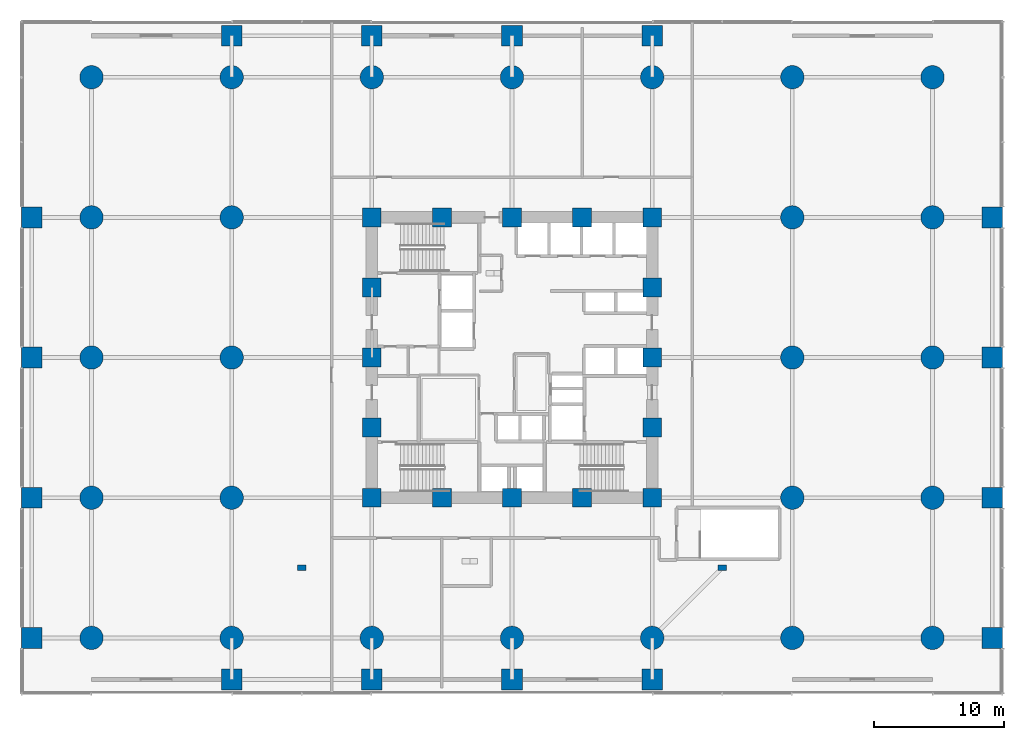
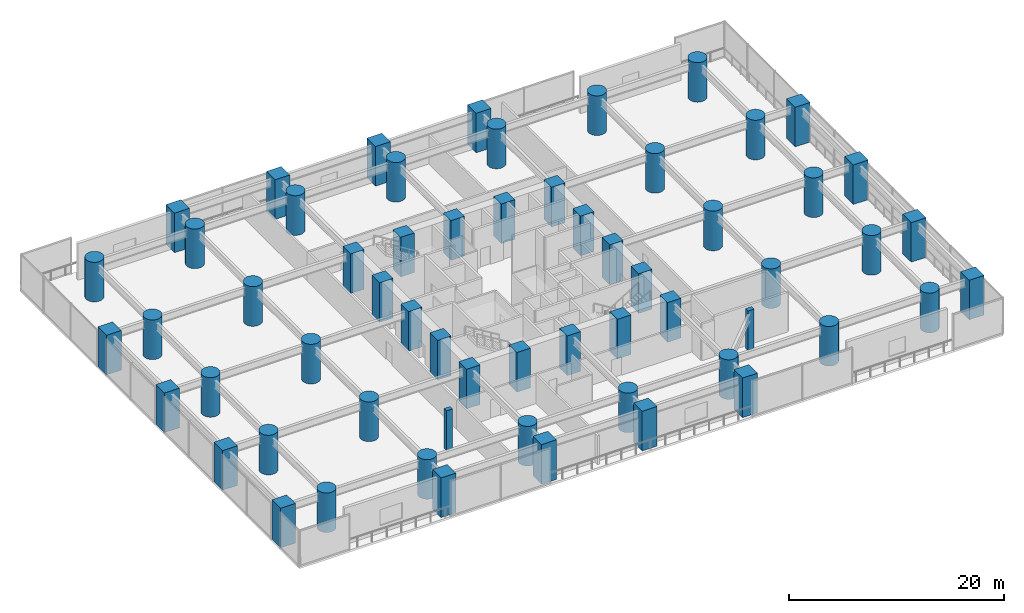
# One storey, part 1 of 35: 60 columns.
"""IFC4 building model written with IfcOpenShell, lengths in metres."""

from ifc_helpers import new_model, si_unit, direction, frame, origin, origin_2d, place, context, subcontext, project, spatial, rectangle, circle, extrude, material, material_profile, profile_set, type_object, element, save


model = new_model("IFC4")

# Units and contexts
model_context = context("Model", 3, precision=1e-05, world=origin(), true_north=direction((0.0, 1.0)))
body_context = subcontext(model_context, "Body", "Model", "MODEL_VIEW")
ifc_project = project(units=[si_unit("LENGTHUNIT", "METRE"), si_unit("AREAUNIT", "SQUARE_METRE"), si_unit("VOLUMEUNIT", "CUBIC_METRE"), si_unit("PLANEANGLEUNIT", "RADIAN"), si_unit("MASSUNIT", "GRAM", prefix="KILO")], contexts=[model_context])

# Site, building, storey
site_placement = place(None, origin())
site = spatial("IfcSite", under=ifc_project, at=site_placement, CompositionType="ELEMENT")
building_placement = place(site_placement, origin())
building = spatial("IfcBuilding", under=site, at=building_placement, Name="Surkhivell Harbour Commons", CompositionType="ELEMENT")
storey_placement = place(building_placement, frame((0.0, 0.0, 13.5)))
storey = spatial("IfcBuildingStorey", under=building, at=storey_placement, Name="L03", CompositionType="ELEMENT", Elevation=13.5)

# Columns
ifc_material_1 = material(Name="Concrete C80/95", Category="concrete")
ifc_material_profile_1 = material_profile(ifc_material_1, rectangle(XDim=1.449951171875, YDim=1.449951171875, at=origin_2d()), Name="RC-COL-1450x1450")
ifc_profile_set_1 = profile_set([ifc_material_profile_1], Name="Concrete C80/95")
column_type_1 = type_object("IfcColumnType", Name="COL-CORE-1450", PredefinedType="COLUMN", material=ifc_profile_set_1)
for number, where, z_axis, x_axis, name in (
    (1, (-10.800048828125, -10.800048828125, 0.0), (0.0, 0.0, 1.0), (1.0, 0.0, 0.0), "L03 Column CC-1 (-10.8,-10.8)"),
    (2, (-10.800048828125, -5.39990234375, 0.0), (0.0, 0.0, 1.0), (1.0, 0.0, 0.0), "L03 Column CC-1 (-10.8,-5.4)"),
    (3, (-10.800048828125, 0.0, 0.0), (0.0, 0.0, 1.0), (1.0, 0.0, 0.0), "L03 Column CC-1 (-10.8,0.0)"),
    (4, (-10.800048828125, 5.39990234375, 0.0), (0.0, 0.0, 1.0), (1.0, 0.0, 0.0), "L03 Column CC-1 (-10.8,5.4)"),
    (5, (-10.800048828125, 10.800048828125, 0.0), (0.0, 0.0, 1.0), (1.0, 0.0, 0.0), "L03 Column CC-1 (-10.8,10.8)"),
    (6, (-5.39990234375, -10.800048828125, 0.0), (0.0, 0.0, 1.0), (1.0, 0.0, 0.0), "L03 Column CC-1 (-5.4,-10.8)"),
    (7, (-5.39990234375, 10.800048828125, 0.0), (0.0, 0.0, 1.0), (1.0, 0.0, 0.0), "L03 Column CC-1 (-5.4,10.8)"),
    (8, (0.0, -10.800048828125, 0.0), (0.0, 0.0, 1.0), (1.0, 0.0, 0.0), "L03 Column CC-1 (0.0,-10.8)"),
    (9, (0.0, 10.800048828125, 0.0), (0.0, 0.0, 1.0), (1.0, 0.0, 0.0), "L03 Column CC-1 (0.0,10.8)"),
    (10, (5.39990234375, -10.800048828125, 0.0), (0.0, 0.0, 1.0), (1.0, 0.0, 0.0), "L03 Column CC-1 (5.4,-10.8)"),
    (11, (5.39990234375, 10.800048828125, 0.0), (0.0, 0.0, 1.0), (1.0, 0.0, 0.0), "L03 Column CC-1 (5.4,10.8)"),
    (12, (10.800048828125, -10.800048828125, 0.0), (0.0, 0.0, 1.0), (1.0, 0.0, 0.0), "L03 Column CC-1 (10.8,-10.8)"),
    (13, (10.800048828125, -5.39990234375, 0.0), (0.0, 0.0, 1.0), (1.0, 0.0, 0.0), "L03 Column CC-1 (10.8,-5.4)"),
    (14, (10.800048828125, 0.0, 0.0), (0.0, 0.0, 1.0), (1.0, 0.0, 0.0), "L03 Column CC-1 (10.8,0.0)"),
    (15, (10.800048828125, 5.39990234375, 0.0), (0.0, 0.0, 1.0), (1.0, 0.0, 0.0), "L03 Column CC-1 (10.8,5.4)"),
    (16, (10.800048828125, 10.800048828125, 0.0), (0.0, 0.0, 1.0), (1.0, 0.0, 0.0), "L03 Column CC-1 (10.8,10.8)"),
):
    element("IfcColumn", number, at=place(storey_placement, frame(where, z_axis=z_axis, x_axis=x_axis)), inside=storey, type_object=column_type_1, Name=name, PredefinedType="COLUMN", context=body_context, shape_type="SweptSolid", body=[
        extrude(rectangle(XDim=1.449951171875, YDim=1.449951171875, at=origin_2d()), origin(), (0.0, 0.0, 1.0), 4.5),
    ])
ifc_material_profile_2 = material_profile(ifc_material_1, rectangle(XDim=1.60009765625, YDim=1.60009765625, at=origin_2d()), Name="RC-COL-1600x1600")
ifc_profile_set_2 = profile_set([ifc_material_profile_2], Name="Concrete C80/95")
column_type_2 = type_object("IfcColumnType", Name="COL-MEGA-1600", PredefinedType="COLUMN", material=ifc_profile_set_2)
for number, where, z_axis, x_axis, name in (
    (17, (-37.0, -21.60009765625, 0.0), (0.0, 0.0, 1.0), (1.0, 0.0, 0.0), "L03 Column CM-1 (-37.0,-21.6)"),
    (18, (-37.0, -10.800048828125, 0.0), (0.0, 0.0, 1.0), (1.0, 0.0, 0.0), "L03 Column CM-1 (-37.0,-10.8)"),
    (19, (-37.0, 0.0, 0.0), (0.0, 0.0, 1.0), (1.0, 0.0, 0.0), "L03 Column CM-1 (-37.0,0.0)"),
    (20, (-37.0, 10.800048828125, 0.0), (0.0, 0.0, 1.0), (1.0, 0.0, 0.0), "L03 Column CM-1 (-37.0,10.8)"),
    (21, (-21.60009765625, -24.800048828125, 0.0), (0.0, 0.0, 1.0), (1.0, 0.0, 0.0), "L03 Column CM-1 (-21.6,-24.8)"),
    (22, (-21.60009765625, 24.800048828125, 0.0), (0.0, 0.0, 1.0), (1.0, 0.0, 0.0), "L03 Column CM-1 (-21.6,24.8)"),
    (23, (-10.800048828125, -24.800048828125, 0.0), (0.0, 0.0, 1.0), (1.0, 0.0, 0.0), "L03 Column CM-1 (-10.8,-24.8)"),
    (24, (-10.800048828125, 24.800048828125, 0.0), (0.0, 0.0, 1.0), (1.0, 0.0, 0.0), "L03 Column CM-1 (-10.8,24.8)"),
    (25, (0.0, -24.800048828125, 0.0), (0.0, 0.0, 1.0), (1.0, 0.0, 0.0), "L03 Column CM-1 (0.0,-24.8)"),
    (26, (0.0, 24.800048828125, 0.0), (0.0, 0.0, 1.0), (1.0, 0.0, 0.0), "L03 Column CM-1 (0.0,24.8)"),
    (27, (10.800048828125, -24.800048828125, 0.0), (0.0, 0.0, 1.0), (1.0, 0.0, 0.0), "L03 Column CM-1 (10.8,-24.8)"),
    (28, (10.800048828125, 24.800048828125, 0.0), (0.0, 0.0, 1.0), (1.0, 0.0, 0.0), "L03 Column CM-1 (10.8,24.8)"),
    (29, (37.0, -21.60009765625, 0.0), (0.0, 0.0, 1.0), (1.0, 0.0, 0.0), "L03 Column CM-1 (37.0,-21.6)"),
    (30, (37.0, -10.800048828125, 0.0), (0.0, 0.0, 1.0), (1.0, 0.0, 0.0), "L03 Column CM-1 (37.0,-10.8)"),
    (31, (37.0, 0.0, 0.0), (0.0, 0.0, 1.0), (1.0, 0.0, 0.0), "L03 Column CM-1 (37.0,0.0)"),
    (32, (37.0, 10.800048828125, 0.0), (0.0, 0.0, 1.0), (1.0, 0.0, 0.0), "L03 Column CM-1 (37.0,10.8)"),
):
    element("IfcColumn", number, at=place(storey_placement, frame(where, z_axis=z_axis, x_axis=x_axis)), inside=storey, type_object=column_type_2, Name=name, PredefinedType="COLUMN", context=body_context, shape_type="SweptSolid", body=[
        extrude(rectangle(XDim=1.60009765625, YDim=1.60009765625, at=origin_2d()), origin(), (0.0, 0.0, 1.0), 4.5),
    ])
ifc_material_2 = material(Name="Concrete C50/60", Category="concrete")
ifc_material_profile_3 = material_profile(ifc_material_2, rectangle(XDim=0.64990234375, YDim=0.449951171875, at=origin_2d()), Name="RC-PIL-650x450")
ifc_profile_set_3 = profile_set([ifc_material_profile_3], Name="Concrete C50/60")
column_type_3 = type_object("IfcColumnType", Name="COL-PIL-650", PredefinedType="PILASTER", material=ifc_profile_set_3)
for number, where, z_axis, x_axis, name in (
    (33, (-16.199951171875, -16.199951171875, 0.0), (0.0, 0.0, 1.0), (1.0, 0.0, 0.0), "L03 Brick-Clad Entrance Pilaster 1"),
    (34, (16.199951171875, -16.199951171875, 0.0), (0.0, 0.0, 1.0), (1.0, 0.0, 0.0), "L03 Brick-Clad Entrance Pilaster 2"),
):
    element("IfcColumn", number, at=place(storey_placement, frame(where, z_axis=z_axis, x_axis=x_axis)), inside=storey, type_object=column_type_3, Name=name, PredefinedType="PILASTER", context=body_context, shape_type="SweptSolid", body=[
        extrude(rectangle(XDim=0.64990234375, YDim=0.449951171875, at=origin_2d()), origin(), (0.0, 0.0, 1.0), 4.5),
    ])
ifc_material_profile_4 = material_profile(ifc_material_1, circle(Radius=0.89990234375, at=origin_2d()), Name="RC-CIRC-1800")
ifc_profile_set_4 = profile_set([ifc_material_profile_4], Name="Concrete C80/95")
column_type_4 = type_object("IfcColumnType", Name="COL-STILT-1800", PredefinedType="COLUMN", material=ifc_profile_set_4)
for number, where, z_axis, x_axis, name in (
    (35, (-32.39990234375, -21.60009765625, 0.0), (0.0, 0.0, 1.0), (1.0, 0.0, 0.0), "L03 Column CS-1 (-32.4,-21.6)"),
    (36, (-32.39990234375, -10.800048828125, 0.0), (0.0, 0.0, 1.0), (1.0, 0.0, 0.0), "L03 Column CS-1 (-32.4,-10.8)"),
    (37, (-32.39990234375, 0.0, 0.0), (0.0, 0.0, 1.0), (1.0, 0.0, 0.0), "L03 Column CS-1 (-32.4,0.0)"),
    (38, (-32.39990234375, 10.800048828125, 0.0), (0.0, 0.0, 1.0), (1.0, 0.0, 0.0), "L03 Column CS-1 (-32.4,10.8)"),
    (39, (-32.39990234375, 21.60009765625, 0.0), (0.0, 0.0, 1.0), (1.0, 0.0, 0.0), "L03 Column CS-1 (-32.4,21.6)"),
    (40, (-21.60009765625, -21.60009765625, 0.0), (0.0, 0.0, 1.0), (1.0, 0.0, 0.0), "L03 Column CS-1 (-21.6,-21.6)"),
    (41, (-21.60009765625, -10.800048828125, 0.0), (0.0, 0.0, 1.0), (1.0, 0.0, 0.0), "L03 Column CS-1 (-21.6,-10.8)"),
    (42, (-21.60009765625, 0.0, 0.0), (0.0, 0.0, 1.0), (1.0, 0.0, 0.0), "L03 Column CS-1 (-21.6,0.0)"),
    (43, (-21.60009765625, 10.800048828125, 0.0), (0.0, 0.0, 1.0), (1.0, 0.0, 0.0), "L03 Column CS-1 (-21.6,10.8)"),
    (44, (-21.60009765625, 21.60009765625, 0.0), (0.0, 0.0, 1.0), (1.0, 0.0, 0.0), "L03 Column CS-1 (-21.6,21.6)"),
    (45, (-10.800048828125, -21.60009765625, 0.0), (0.0, 0.0, 1.0), (1.0, 0.0, 0.0), "L03 Column CS-1 (-10.8,-21.6)"),
    (46, (-10.800048828125, 21.60009765625, 0.0), (0.0, 0.0, 1.0), (1.0, 0.0, 0.0), "L03 Column CS-1 (-10.8,21.6)"),
    (47, (0.0, -21.60009765625, 0.0), (0.0, 0.0, 1.0), (1.0, 0.0, 0.0), "L03 Column CS-1 (0.0,-21.6)"),
    (48, (0.0, 21.60009765625, 0.0), (0.0, 0.0, 1.0), (1.0, 0.0, 0.0), "L03 Column CS-1 (0.0,21.6)"),
    (49, (10.800048828125, -21.60009765625, 0.0), (0.0, 0.0, 1.0), (1.0, 0.0, 0.0), "L03 Column CS-1 (10.8,-21.6)"),
    (50, (10.800048828125, 21.60009765625, 0.0), (0.0, 0.0, 1.0), (1.0, 0.0, 0.0), "L03 Column CS-1 (10.8,21.6)"),
    (51, (21.60009765625, -21.60009765625, 0.0), (0.0, 0.0, 1.0), (1.0, 0.0, 0.0), "L03 Column CS-1 (21.6,-21.6)"),
    (52, (21.60009765625, -10.800048828125, 0.0), (0.0, 0.0, 1.0), (1.0, 0.0, 0.0), "L03 Column CS-1 (21.6,-10.8)"),
    (53, (21.60009765625, 0.0, 0.0), (0.0, 0.0, 1.0), (1.0, 0.0, 0.0), "L03 Column CS-1 (21.6,0.0)"),
    (54, (21.60009765625, 10.800048828125, 0.0), (0.0, 0.0, 1.0), (1.0, 0.0, 0.0), "L03 Column CS-1 (21.6,10.8)"),
    (55, (21.60009765625, 21.60009765625, 0.0), (0.0, 0.0, 1.0), (1.0, 0.0, 0.0), "L03 Column CS-1 (21.6,21.6)"),
    (56, (32.39990234375, -21.60009765625, 0.0), (0.0, 0.0, 1.0), (1.0, 0.0, 0.0), "L03 Column CS-1 (32.4,-21.6)"),
    (57, (32.39990234375, -10.800048828125, 0.0), (0.0, 0.0, 1.0), (1.0, 0.0, 0.0), "L03 Column CS-1 (32.4,-10.8)"),
    (58, (32.39990234375, 0.0, 0.0), (0.0, 0.0, 1.0), (1.0, 0.0, 0.0), "L03 Column CS-1 (32.4,0.0)"),
    (59, (32.39990234375, 10.800048828125, 0.0), (0.0, 0.0, 1.0), (1.0, 0.0, 0.0), "L03 Column CS-1 (32.4,10.8)"),
    (60, (32.39990234375, 21.60009765625, 0.0), (0.0, 0.0, 1.0), (1.0, 0.0, 0.0), "L03 Column CS-1 (32.4,21.6)"),
):
    element("IfcColumn", number, at=place(storey_placement, frame(where, z_axis=z_axis, x_axis=x_axis)), inside=storey, type_object=column_type_4, Name=name, PredefinedType="COLUMN", context=body_context, shape_type="SweptSolid", body=[
        extrude(circle(Radius=0.89990234375, at=origin_2d()), origin(), (0.0, 0.0, 1.0), 4.5),
    ])

save(model, "model.ifc")
